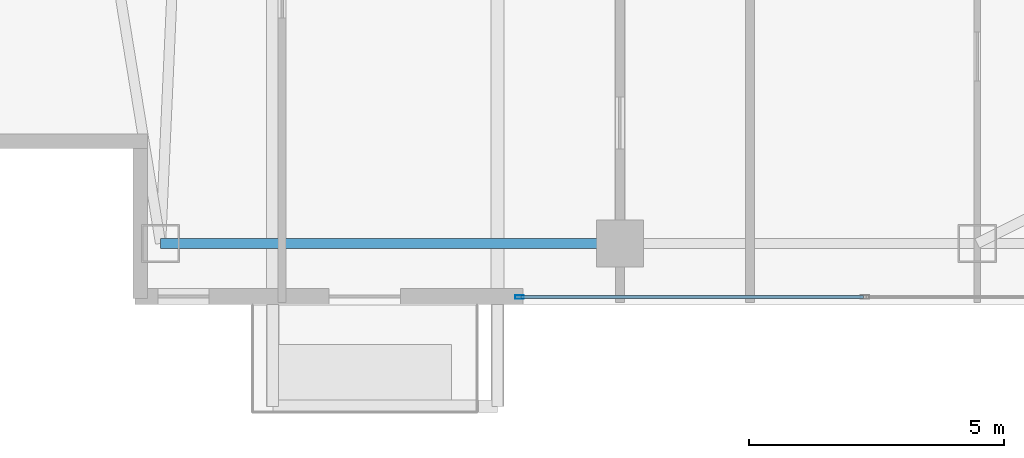
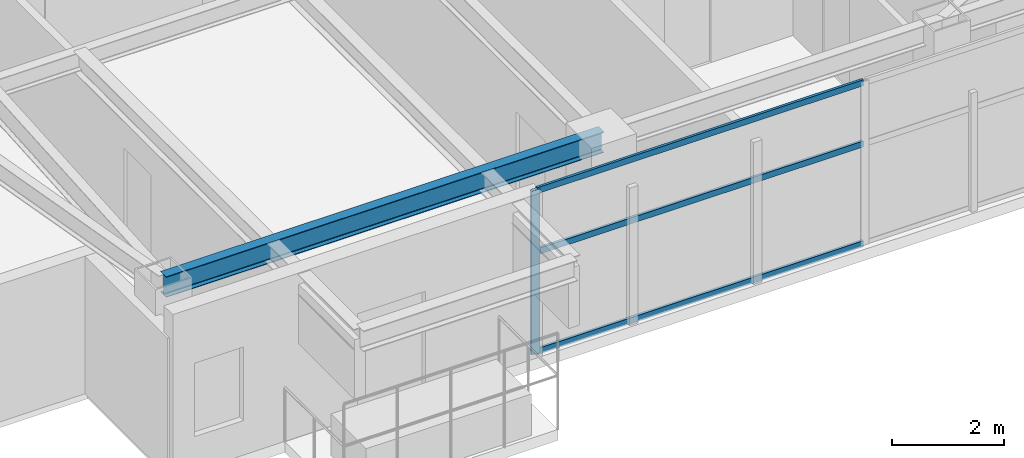
# One storey, part 3 of 27: 4 members, 1 beam, 1 element without a shape of its own.
"""IFC4 building model written with IfcOpenShell, lengths in metres."""

from ifc_helpers import new_model, si_unit, direction, frame, origin, origin_2d, place, context, subcontext, project, spatial, hollow_rectangle, i_section, extrude, material, layer, layer_set, material_profile, profile_set, type_object, element, aggregate, save


model = new_model("IFC4")

# Units and contexts
model_context = context("Model", 3, precision=1e-05, world=origin(), true_north=direction((0.0, 1.0)))
body_context = subcontext(model_context, "Body", "Model", "MODEL_VIEW")
ifc_project = project(units=[si_unit("LENGTHUNIT", "METRE"), si_unit("AREAUNIT", "SQUARE_METRE"), si_unit("VOLUMEUNIT", "CUBIC_METRE"), si_unit("PLANEANGLEUNIT", "RADIAN"), si_unit("MASSUNIT", "GRAM", prefix="KILO")], contexts=[model_context])

# Site, building, storey
site_placement = place(None, origin())
site = spatial("IfcSite", under=ifc_project, at=site_placement, CompositionType="ELEMENT")
building_placement = place(site_placement, origin())
building = spatial("IfcBuilding", under=site, at=building_placement, Name="Calvorn Quay Hotel", CompositionType="ELEMENT")
storey_placement = place(building_placement, frame((0.0, 0.0, 291.10009765625)))
storey = spatial("IfcBuildingStorey", under=building, at=storey_placement, Name="L72", CompositionType="ELEMENT", Elevation=291.10009765625)

# Beam
ifc_material_1 = material(Name="Steel Q355B", Category="steel")
ifc_material_profile_1 = material_profile(ifc_material_1, i_section(OverallWidth=0.199951171875, OverallDepth=0.449951171875, WebThickness=0.009033203125, FlangeThickness=0.013916015625, FilletRadius=0.01611328125, at=origin_2d()), Name="HN450x200x9x14")
ifc_profile_set_1 = profile_set([ifc_material_profile_1], Name="Steel Q355B")
beam_type = type_object("IfcBeamType", Name="BM-SPANDREL-Z3", PredefinedType="SPANDREL", material=ifc_profile_set_1)
beam_placement = place(storey_placement, frame((3.60009765625, 3.60009765625, 3.31494140625), z_axis=(1.0, 0.0, 0.0), x_axis=(0.0, 1.0, 0.0)))
element("IfcBeam", 1, at=beam_placement, inside=storey, type_object=beam_type, Name="Beam BSP-L72-S1", PredefinedType="SPANDREL", context=body_context, shape_type="SweptSolid", body=[
    extrude(i_section(OverallWidth=0.199951171875, OverallDepth=0.449951171875, WebThickness=0.009033203125, FlangeThickness=0.013916015625, FilletRadius=0.01611328125, at=origin_2d()), origin(), (0.0, 0.0, 1.0), 9.0),
])

# Curtain wall, members
ifc_material_2 = material(Name="Champagne Bronze Anodised Aluminium and Low-E Glass", Category="aluminium")
ifc_layer = layer(ifc_material_2, 0.219970703125)
ifc_layer_set = layer_set([ifc_layer], Name="CW-SYS-Z4")
curtain_wall_type = type_object("IfcCurtainWallType", Name="CW-SYS-Z4", PredefinedType="NOTDEFINED", material=ifc_layer_set)
curtain_wall_placement = place(storey_placement, origin())
curtain_wall = element("IfcCurtainWall", 2, at=curtain_wall_placement, inside=storey, type_object=curtain_wall_type, Name="Tower South Waterfront Curtain Wall (L72)", PredefinedType="NOTDEFINED")
ifc_material_3 = material(Name="Champagne Bronze Anodised Aluminium 6063-T6", Category="aluminium")
ifc_material_profile_2 = material_profile(ifc_material_3, hollow_rectangle(XDim=0.06494140625, YDim=0.169921875, WallThickness=0.00341796875, at=origin_2d()), Name="ALU-M170x65x3.5")
ifc_profile_set_2 = profile_set([ifc_material_profile_2], Name="Champagne Bronze Anodised Aluminium 6063-T6")
member_type_1 = type_object("IfcMemberType", Name="CW-SYS-Z4-MUL", PredefinedType="MULLION", material=ifc_profile_set_2)
member_1_placement = place(storey_placement, frame((10.6298828125, 2.550048828125, 0.0), z_axis=(0.0, 0.0, 1.0), x_axis=(0.0, 1.0, 0.0)))
member_1 = element("IfcMember", 3, at=member_1_placement, type_object=member_type_1, Name="CW-L72-S mullion 1", PredefinedType="MULLION", context=body_context, shape_type="SweptSolid", body=[
    extrude(hollow_rectangle(XDim=0.06494140625, YDim=0.169921875, WallThickness=0.00341796875, at=origin_2d()), origin(), (0.0, 0.0, 1.0), 3.559814453125),
])
ifc_material_4 = material(Name="Champagne Bronze Anodised Aluminium 6063-T6", Category="aluminium")
ifc_material_profile_3 = material_profile(ifc_material_4, hollow_rectangle(XDim=0.054931640625, YDim=0.1298828125, WallThickness=0.003173828125, at=origin_2d()), Name="ALU-T130x55x3.2")
ifc_profile_set_3 = profile_set([ifc_material_profile_3], Name="Champagne Bronze Anodised Aluminium 6063-T6")
member_type_2 = type_object("IfcMemberType", Name="CW-SYS-Z4-TRN", PredefinedType="USERDEFINED", material=ifc_profile_set_3)
member_2_placement = place(storey_placement, frame((10.659912109375, 2.550048828125, 0.02978515625), z_axis=(1.0, 0.0, 0.0), x_axis=(0.0, 1.0, 0.0)))
member_2 = element("IfcMember", 4, at=member_2_placement, type_object=member_type_2, Name="CW-L72-S transom 1.1", ObjectType="TRANSOM", PredefinedType="USERDEFINED", context=body_context, shape_type="SweptSolid", body=[
    extrude(hollow_rectangle(XDim=0.054931640625, YDim=0.1298828125, WallThickness=0.003173828125, at=origin_2d()), origin(), (0.0, 0.0, 1.0), 6.710205078125),
])
member_3_placement = place(storey_placement, frame((10.659912109375, 2.550048828125, 2.199951171875), z_axis=(1.0, 0.0, 0.0), x_axis=(0.0, 1.0, 0.0)))
member_3 = element("IfcMember", 5, at=member_3_placement, type_object=member_type_2, Name="CW-L72-S transom 1.2", ObjectType="TRANSOM", PredefinedType="USERDEFINED", context=body_context, shape_type="SweptSolid", body=[
    extrude(hollow_rectangle(XDim=0.054931640625, YDim=0.1298828125, WallThickness=0.003173828125, at=origin_2d()), origin(), (0.0, 0.0, 1.0), 6.710205078125),
])
member_4_placement = place(storey_placement, frame((10.659912109375, 2.550048828125, 3.52978515625), z_axis=(1.0, 0.0, 0.0), x_axis=(0.0, 1.0, 0.0)))
member_4 = element("IfcMember", 6, at=member_4_placement, type_object=member_type_2, Name="CW-L72-S transom 1.3", ObjectType="TRANSOM", PredefinedType="USERDEFINED", context=body_context, shape_type="SweptSolid", body=[
    extrude(hollow_rectangle(XDim=0.054931640625, YDim=0.1298828125, WallThickness=0.003173828125, at=origin_2d()), origin(), (0.0, 0.0, 1.0), 6.710205078125),
])
aggregate(curtain_wall, [member_1, member_2, member_3, member_4])

save(model, "model.ifc")
